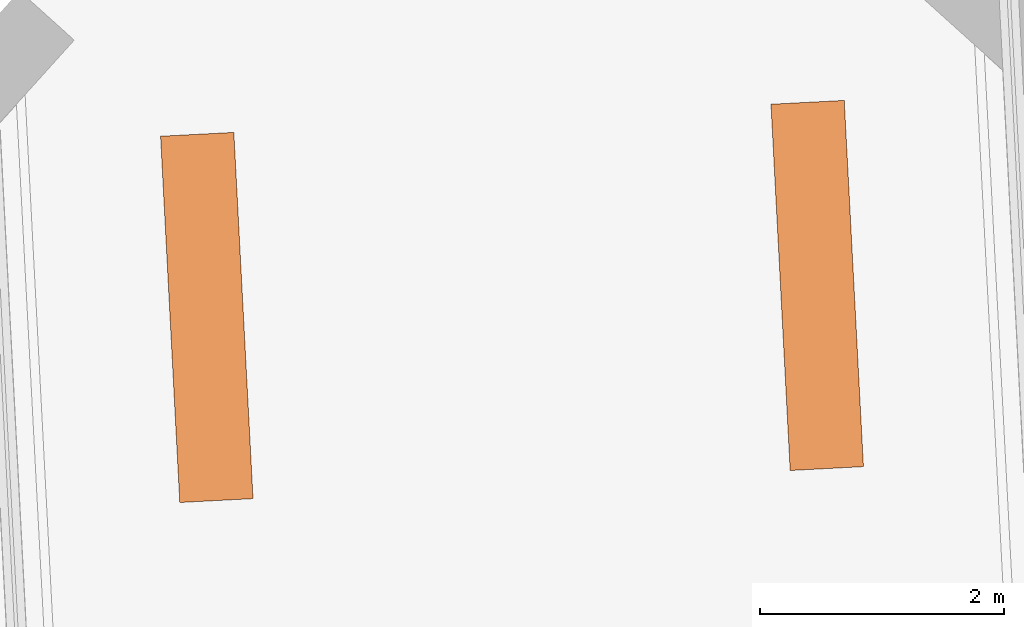
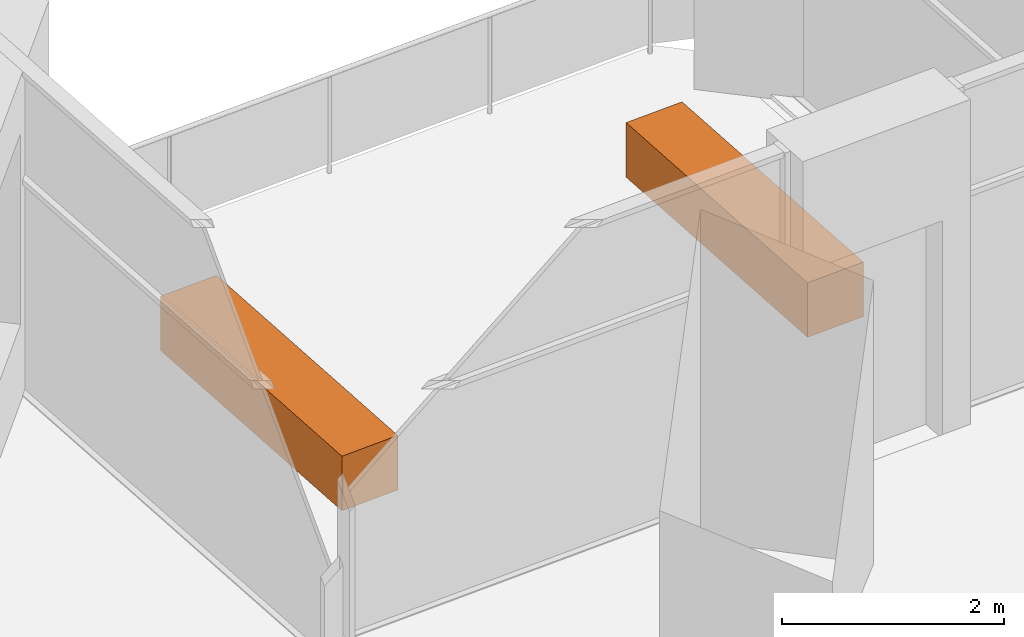
# One storey, part 12 of 12: 2 proxies.
"""IFC4 building model written with IfcOpenShell, lengths in metres."""

import ifcopenshell
import ifcopenshell.guid

model = None  # the IFC model being written
_history = None  # IfcOwnerHistory: only IFC2X3 demands one
_inside = {}  # id of a spatial element -> (the spatial element, [elements in it])
_under = {}  # id of a project, library or spatial element -> (it, [spatial elements below it])
_declared = {}  # id of a project -> (the project, [libraries it declares])
_typed = {}  # id of a type object -> (the type object, [elements of that type])
_made_of = {}  # id of a material, layer set ... -> (it, [elements and type objects made of it])


def new_model(schema):
    """Start an empty IFC model of exactly this schema.

    Asked for "IFC4X3", IfcOpenShell would pick the latest addendum, in which some entities
    have other attributes; the version numbers below select the first issue.
    IFC2X3 requires an IfcOwnerHistory on every rooted entity: one is made here for all.
    """
    global model, _history
    if schema == "IFC4X3":
        model = ifcopenshell.file(schema_version=(4, 3, 0, 0))
    else:
        model = ifcopenshell.file(schema=schema)
    _inside.clear()
    _under.clear()
    _declared.clear()
    _typed.clear()
    _made_of.clear()
    _history = None
    if model.schema == "IFC2X3":
        org = make("IfcOrganization", Name="unknown")
        user = make(
            "IfcPersonAndOrganization",
            ThePerson=make("IfcPerson", FamilyName="unknown"),
            TheOrganization=org,
        )
        app = make(
            "IfcApplication",
            ApplicationDeveloper=org,
            Version="unknown",
            ApplicationFullName="unknown",
            ApplicationIdentifier="unknown",
        )
        _history = make(
            "IfcOwnerHistory",
            OwningUser=user,
            OwningApplication=app,
            ChangeAction="ADDED",
            CreationDate=0,
        )
    return model


def make(cls, **values):
    """One entity of the class cls with the attributes given. An attribute that is None is left unset."""
    return model.create_entity(
        cls, **{name: value for name, value in values.items() if value is not None}
    )


def rooted(cls, **values):
    """An entity with a GlobalId (a new one), such as an element, a storey or a relation."""
    return make(cls, GlobalId=ifcopenshell.guid.new(), OwnerHistory=_history, **values)


def si_unit(unit_type, name, prefix=None):
    """IfcSIUnit, for example si_unit("LENGTHUNIT", "METRE", prefix="MILLI")."""
    return make("IfcSIUnit", UnitType=unit_type, Prefix=prefix, Name=name)


def assignment(units):
    """IfcUnitAssignment: the units of a project."""
    return None if units is None else make("IfcUnitAssignment", Units=units)


def point(xyz):
    """IfcCartesianPoint."""
    return None if xyz is None else make("IfcCartesianPoint", Coordinates=xyz)


def direction(xyz):
    """IfcDirection."""
    return None if xyz is None else make("IfcDirection", DirectionRatios=xyz)


def frame(location, z_axis=None, x_axis=None):
    """IfcAxis2Placement3D, a coordinate frame: its origin and axes. An axis left out is left unset."""
    return make(
        "IfcAxis2Placement3D",
        Location=point(location),
        Axis=direction(z_axis),
        RefDirection=direction(x_axis),
    )


def frame_2d(location, x_axis=None):
    """IfcAxis2Placement2D, a coordinate frame in the plane: its origin and x axis."""
    return make(
        "IfcAxis2Placement2D", Location=point(location), RefDirection=direction(x_axis)
    )


def origin():
    """The frame at (0, 0, 0) with its axes left unset."""
    return frame((0.0, 0.0, 0.0))


def origin_2d():
    """The frame at (0, 0) in the plane with its x axis left unset."""
    return frame_2d((0.0, 0.0))


def place(relative_to, where):
    """IfcLocalPlacement: puts the frame where relative to a parent placement (None: the world)."""
    return make(
        "IfcLocalPlacement", PlacementRelTo=relative_to, RelativePlacement=where
    )


def context(
    kind, dimensions, precision=None, world=None, true_north=None, identifier=None
):
    """IfcGeometricRepresentationContext, for example the 3D "Model" context."""
    return make(
        "IfcGeometricRepresentationContext",
        ContextIdentifier=identifier,
        ContextType=kind,
        CoordinateSpaceDimension=dimensions,
        Precision=precision,
        WorldCoordinateSystem=world,
        TrueNorth=true_north,
    )


def subcontext(parent, identifier, kind, view, scale=None):
    """IfcGeometricRepresentationSubContext, for example "Body" below "Model"."""
    return make(
        "IfcGeometricRepresentationSubContext",
        ContextIdentifier=identifier,
        ContextType=kind,
        ParentContext=parent,
        TargetScale=scale,
        TargetView=view,
    )


def project(units=None, contexts=None):
    """IfcProject with its units and contexts."""
    return rooted(
        "IfcProject",
        Name="project",
        RepresentationContexts=contexts,
        UnitsInContext=assignment(units),
    )


def spatial(cls, under=None, at=None, **own):
    """A site, building, storey or space (cls), placed at a placement, below another one or the project."""
    s = rooted(cls, ObjectPlacement=at, **own)
    if under is not None:
        _under.setdefault(under.id(), (under, []))[1].append(s)
    return s


def profile(cls, at=None, kind="AREA", **sizes):
    """A parametric profile (cls). Its sizes go by their IFC names, for example OverallWidth=200.0."""
    return make(cls, ProfileType=kind, Position=at, **sizes)


def rectangle(**sizes):
    """IfcRectangleProfileDef."""
    return profile("IfcRectangleProfileDef", **sizes)


def extrude(swept, where, along, depth):
    """IfcExtrudedAreaSolid: the profile swept, set in the frame where, extruded along a direction by depth."""
    return make(
        "IfcExtrudedAreaSolid",
        SweptArea=swept,
        Position=where,
        ExtrudedDirection=direction(along),
        Depth=depth,
    )


def shape(context_of_items, identifier, shape_type, items):
    """IfcShapeRepresentation: the items that make up one representation, for example the "Body"."""
    return make(
        "IfcShapeRepresentation",
        ContextOfItems=context_of_items,
        RepresentationIdentifier=identifier,
        RepresentationType=shape_type,
        Items=items,
    )


def made_of(thing, what):
    """Note that an element or type object is made of a material, layer set ...; save() writes the relation."""
    if what is not None:
        _made_of.setdefault(what.id(), (what, []))[1].append(thing)
    return thing


def element(
    cls,
    number,
    at=None,
    inside=None,
    cuts=None,
    type_object=None,
    material=None,
    context=None,
    identifier="Body",
    shape_type=None,
    held_by="IfcProductDefinitionShape",
    body=None,
    shapes=None,
    **own,
):
    """One element of the class cls, such as IfcWall. Its Tag is "e" and its number.

    at: its placement. inside: the storey or other place that contains it. cuts: it is an
    opening in that element (IfcRelVoidsElement). A single representation is given by context,
    identifier, shape_type and body (its items); several are given by shapes. held_by: the class
    of the entity that holds the representations. save() writes the other relations.
    """
    e = rooted(cls, Tag="e%d" % number, ObjectPlacement=at, **own)
    if body is not None:
        shapes = [shape(context, identifier, shape_type, body)]
    if shapes is not None:
        e.Representation = make(held_by, Representations=shapes)
    if inside is not None:
        _inside.setdefault(inside.id(), (inside, []))[1].append(e)
    if cuts is not None:
        rooted(
            "IfcRelVoidsElement", RelatingBuildingElement=cuts, RelatedOpeningElement=e
        )
    if type_object is not None:
        _typed.setdefault(type_object.id(), (type_object, []))[1].append(e)
    return made_of(e, material)


def aggregate(whole, parts):
    """IfcRelAggregates: a whole, such as a stair, and the parts it consists of."""
    return rooted("IfcRelAggregates", RelatingObject=whole, RelatedObjects=parts)


def save(model, path):
    """Write the relations noted so far, then the file.

    IfcRelAggregates (storeys below a building ...), IfcRelContainedInSpatialStructure (elements
    in a storey), IfcRelDefinesByType, IfcRelAssociatesMaterial and IfcRelDeclares: one each for
    every whole, place, type object, material and project.
    """
    for whole, parts in _under.values():
        aggregate(whole, parts)
    for where, things in _inside.values():
        rooted(
            "IfcRelContainedInSpatialStructure",
            RelatedElements=things,
            RelatingStructure=where,
        )
    for kind, things in _typed.values():
        rooted("IfcRelDefinesByType", RelatedObjects=things, RelatingType=kind)
    for what, things in _made_of.values():
        rooted("IfcRelAssociatesMaterial", RelatedObjects=things, RelatingMaterial=what)
    for by, libraries in _declared.values():
        rooted("IfcRelDeclares", RelatingContext=by, RelatedDefinitions=libraries)
    model.write(path)


model = new_model("IFC4")

# Units and contexts
model_context = context("Model", 3, precision=1e-05, world=origin(), true_north=direction((0.0, 1.0)))
body_context = subcontext(model_context, "Body", "Model", "MODEL_VIEW")
ifc_project = project(units=[si_unit("LENGTHUNIT", "METRE"), si_unit("AREAUNIT", "SQUARE_METRE"), si_unit("VOLUMEUNIT", "CUBIC_METRE"), si_unit("PLANEANGLEUNIT", "RADIAN"), si_unit("MASSUNIT", "GRAM", prefix="KILO")], contexts=[model_context])

# Site, building, storey
site_placement = place(None, origin())
site = spatial("IfcSite", under=ifc_project, at=site_placement, CompositionType="ELEMENT")
building_placement = place(site_placement, origin())
building = spatial("IfcBuilding", under=site, at=building_placement, Name="Dilmun Exchange Tower", CompositionType="ELEMENT")
storey_placement = place(building_placement, frame((0.0, 0.0, 217.300048828125)))
storey = spatial("IfcBuildingStorey", under=building, at=storey_placement, Name="L51", CompositionType="ELEMENT", Elevation=217.300048828125)

# Proxies
for number, where, z_axis, x_axis, name in (
    (1, (4.339111328125, 32.527099609375, 0.0), (0.0, 0.0, 1.0), (-0.052335956243, 0.998629534755, 0.0), "PLANTER Desert shrub L51.1"),
    (2, (-0.654052734375, 32.265380859375, 0.0), (0.0, 0.0, 1.0), (-0.052335956243, 0.998629534755, 0.0), "PLANTER Desert shrub L51.2"),
):
    element("IfcBuildingElementProxy", number, at=place(storey_placement, frame(where, z_axis=z_axis, x_axis=x_axis)), inside=storey, Name=name, ObjectType="PLANTER", PredefinedType="USERDEFINED", context=body_context, shape_type="SweptSolid", body=[
        extrude(rectangle(XDim=3.0, YDim=0.60009765625, at=origin_2d()), origin(), (0.0, 0.0, 1.0), 0.60009765625),
    ])

save(model, "model.ifc")
